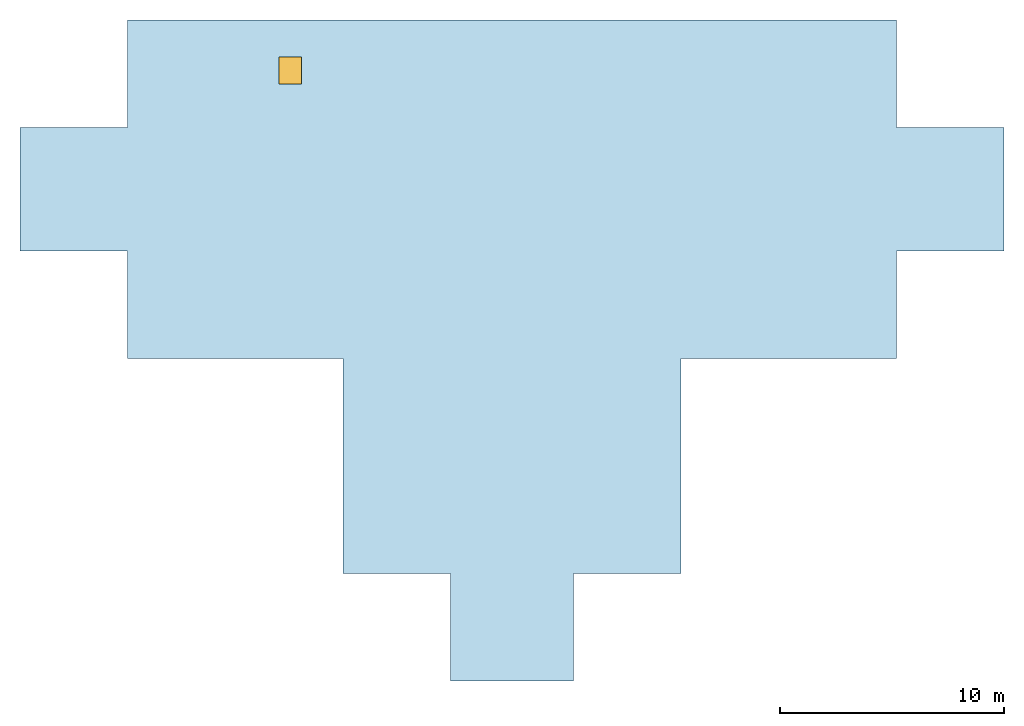
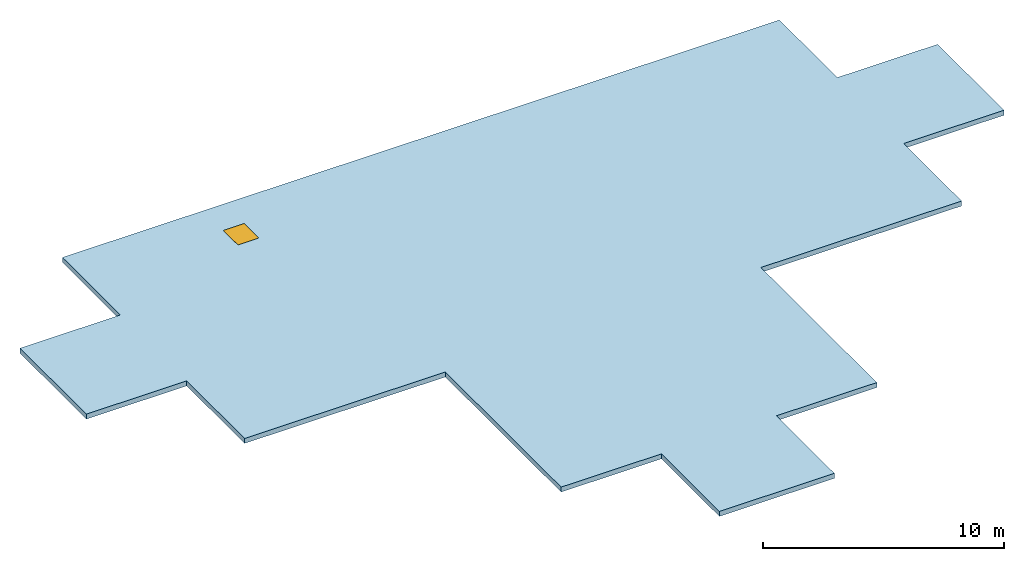
"""IFC4 building model written with IfcOpenShell, lengths in metres."""

from ifc_helpers import new_model, si_unit, direction, frame, origin, origin_2d, place, context, subcontext, project, spatial, polyline, rectangle, outline, extrude, material, layer, layer_set, type_object, element, fill, save


model = new_model("IFC4")

# Units and contexts
model_context = context("Model", 3, precision=1e-05, world=origin(), true_north=direction((0.0, 1.0)))
body_context = subcontext(model_context, "Body", "Model", "MODEL_VIEW")
ifc_project = project(units=[si_unit("LENGTHUNIT", "METRE"), si_unit("AREAUNIT", "SQUARE_METRE"), si_unit("VOLUMEUNIT", "CUBIC_METRE"), si_unit("PLANEANGLEUNIT", "RADIAN"), si_unit("MASSUNIT", "GRAM", prefix="KILO")], contexts=[model_context])

# Site, building, storey
site_placement = place(None, origin())
site = spatial("IfcSite", under=ifc_project, at=site_placement, CompositionType="ELEMENT")
building_placement = place(site_placement, origin())
building = spatial("IfcBuilding", under=site, at=building_placement, Name="Kvirike Care Tower", CompositionType="ELEMENT")
storey_1_placement = place(building_placement, frame((0.0, 0.0, 252.5)))
storey_1 = spatial("IfcBuildingStorey", under=building, at=storey_1_placement, Name="ROOF", CompositionType="ELEMENT", Elevation=252.5)

# Slab, opening
ifc_material_1 = material(Name="Concrete C35/45", Category="concrete")
ifc_layer = layer(ifc_material_1, 0.25)
ifc_layer_set = layer_set([ifc_layer], Name="ROOF SLAB 250")
slab_type = type_object("IfcSlabType", Name="ROOF SLAB 250", PredefinedType="ROOF", material=ifc_layer_set)
slab_placement = place(storey_1_placement, frame((0.0, 0.0, -0.25)))
slab = element("IfcSlab", 1, at=slab_placement, inside=storey_1, type_object=slab_type, Name="Roof slab", PredefinedType="ROOF", context=body_context, shape_type="SweptSolid", body=[
    extrude(outline(polyline([(29.14990234375, 28.449951171875), (38.75, 28.449951171875), (38.75, 33.25), (43.550048828125, 33.25), (43.550048828125, 38.75), (38.75, 38.75), (38.75, 43.550048828125), (4.449951171875, 43.550048828125), (4.449951171875, 38.75), (-0.35009765625, 38.75), (-0.35009765625, 33.25), (4.449951171875, 33.25), (4.449951171875, 28.449951171875), (14.050048828125, 28.449951171875), (14.050048828125, 18.85009765625), (18.85009765625, 18.85009765625), (18.85009765625, 14.050048828125), (24.35009765625, 14.050048828125), (24.35009765625, 18.85009765625), (29.14990234375, 18.85009765625), (29.14990234375, 28.449951171875)])), origin(), (0.0, 0.0, 1.0), 0.25),
])
opening_placement = place(slab_placement, frame((11.699951171875, 41.300048828125, 0.0)))
opening = element("IfcOpeningElement", 2, at=opening_placement, cuts=slab, Name="Opening RH1", PredefinedType="OPENING", context=body_context, shape_type="SweptSolid", body=[
    extrude(rectangle(XDim=1.0, YDim=1.199951171875, at=origin_2d()), origin(), (0.0, 0.0, 1.0), 0.25),
])

# Storey
storey_2_placement = place(building_placement, frame((0.0, 0.0, 248.0)))
storey_2 = spatial("IfcBuildingStorey", under=building, at=storey_2_placement, Name="L68", CompositionType="ELEMENT", Elevation=248.0)

# Window
ifc_material_2 = material(Name="Aluminium roof hatch", Category="aluminium")
window_type = type_object("IfcWindowType", Name="ROOF ACCESS HATCH 1000x1200", PartitioningType="SINGLE_PANEL", PredefinedType="SKYLIGHT", material=ifc_material_2)
window_placement = place(opening_placement, frame((0.0, 0.0, 0.199951171875)))
window = element("IfcWindow", 3, at=window_placement, inside=storey_2, type_object=window_type, Name="Roof access hatch", OverallHeight=1.199951171875, OverallWidth=1.0, PartitioningType="SINGLE_PANEL", PredefinedType="SKYLIGHT", context=body_context, shape_type="SweptSolid", body=[
    extrude(rectangle(XDim=1.0, YDim=1.199951171875, at=origin_2d()), origin(), (0.0, 0.0, 1.0), 0.050048828125),
])

fill(opening, window)

save(model, "model.ifc")
